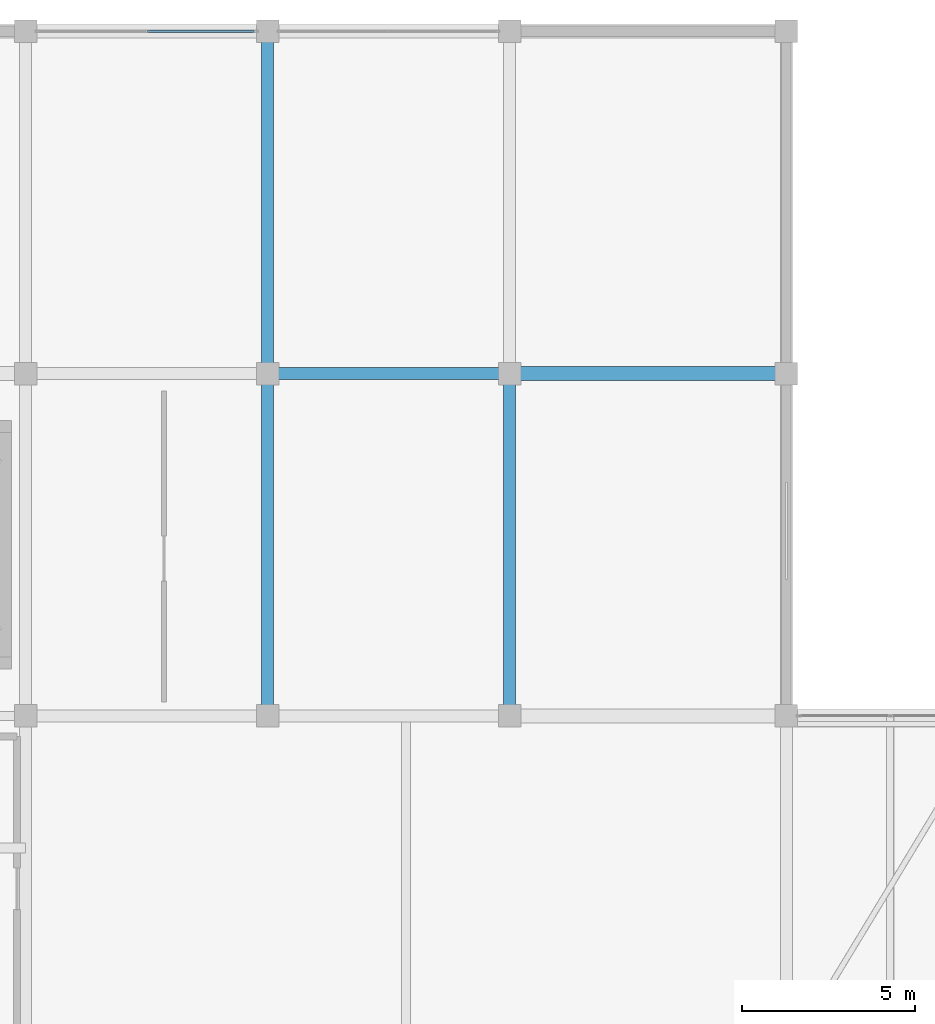
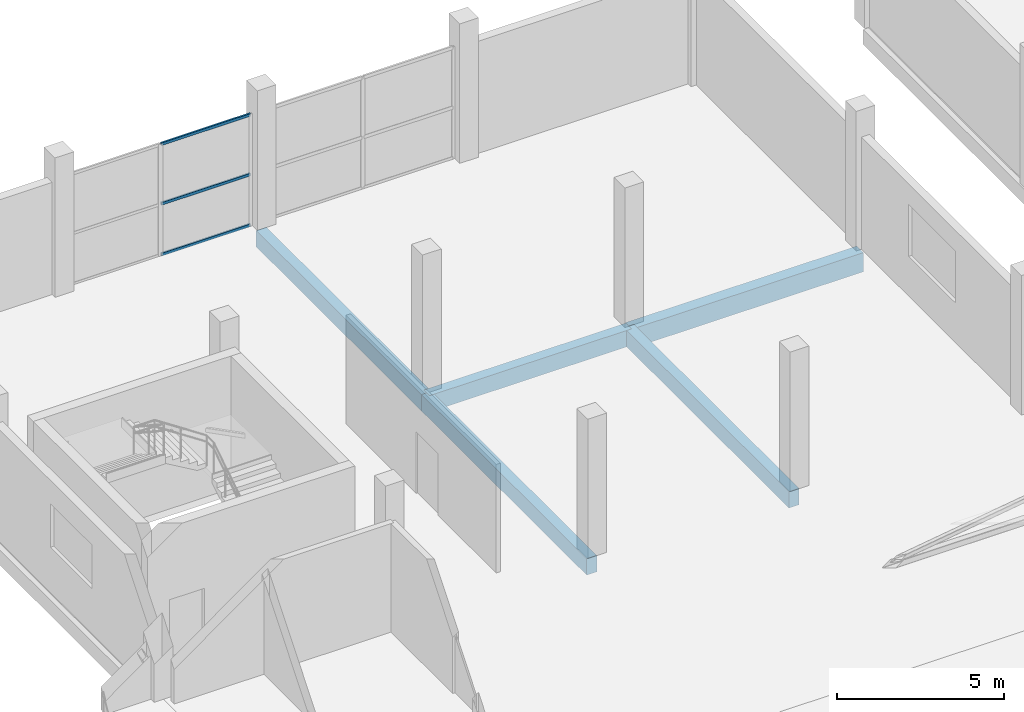
# One storey, part 38 of 58: 5 beams, 3 members, 1 element without a shape of its own.
"""IFC4 building model written with IfcOpenShell, lengths in metres."""

from ifc_helpers import new_model, si_unit, direction, frame, origin, origin_2d, place, context, subcontext, project, spatial, rectangle, hollow_rectangle, extrude, material, layer, layer_set, material_profile, profile_set, type_object, element, aggregate, save


model = new_model("IFC4")

# Units and contexts
model_context = context("Model", 3, precision=1e-05, world=origin(), true_north=direction((0.0, 1.0)))
body_context = subcontext(model_context, "Body", "Model", "MODEL_VIEW")
ifc_project = project(units=[si_unit("LENGTHUNIT", "METRE"), si_unit("AREAUNIT", "SQUARE_METRE"), si_unit("VOLUMEUNIT", "CUBIC_METRE"), si_unit("PLANEANGLEUNIT", "RADIAN"), si_unit("MASSUNIT", "GRAM", prefix="KILO")], contexts=[model_context])

# Site, building, storey
site_placement = place(None, origin())
site = spatial("IfcSite", under=ifc_project, at=site_placement, CompositionType="ELEMENT")
building_placement = place(site_placement, origin())
building = spatial("IfcBuilding", under=site, at=building_placement, Name="Sillaruma Civic Art Gallery", CompositionType="ELEMENT")
storey_placement = place(building_placement, frame((0.0, 0.0, 52.02001953125)))
storey = spatial("IfcBuildingStorey", under=building, at=storey_placement, Name="L10", CompositionType="ELEMENT", Elevation=52.02001953125)

# Beams
ifc_material_1 = material(Name="Concrete H35 (35 MPa)", Category="concrete")
ifc_material_profile_1 = material_profile(ifc_material_1, rectangle(XDim=0.35009765625, YDim=0.60009765625, at=origin_2d()), Name="RCB350x600")
ifc_profile_set_1 = profile_set([ifc_material_profile_1], Name="Concrete H35 (35 MPa)")
beam_type_1 = type_object("IfcBeamType", Name="BM-BEAM-RCB350x600", PredefinedType="BEAM", material=ifc_profile_set_1)
beam_1_placement = place(storey_placement, frame((77.0, 89.10009765625, -0.550048828125), z_axis=(1.0, 0.0, 0.0), x_axis=(0.0, 1.0, 0.0)))
element("IfcBeam", 1, at=beam_1_placement, inside=storey, type_object=beam_type_1, Name="Beam BM-06 (L09:10:H-J)", PredefinedType="BEAM", context=body_context, shape_type="SweptSolid", body=[
    extrude(rectangle(XDim=0.35009765625, YDim=0.60009765625, at=origin_2d()), origin(), (0.0, 0.0, 1.0), 7.0),
])
beam_2_placement = place(storey_placement, frame((77.0, 79.199951171875, -0.550048828125), z_axis=(0.0, 1.0, 0.0), x_axis=(-1.0, 0.0, 0.0)))
element("IfcBeam", 2, at=beam_2_placement, inside=storey, type_object=beam_type_1, Name="Beam BM-06 (L09:H:9-10)", PredefinedType="BEAM", context=body_context, shape_type="SweptSolid", body=[
    extrude(rectangle(XDim=0.35009765625, YDim=0.60009765625, at=origin_2d()), origin(), (0.0, 0.0, 1.0), 9.900146484375),
])
beam_3_placement = place(storey_placement, frame((77.0, 89.10009765625, -0.550048828125), z_axis=(0.0, 1.0, 0.0), x_axis=(-1.0, 0.0, 0.0)))
element("IfcBeam", 3, at=beam_3_placement, inside=storey, type_object=beam_type_1, Name="Beam BM-06 (L09:H:10-11)", PredefinedType="BEAM", context=body_context, shape_type="SweptSolid", body=[
    extrude(rectangle(XDim=0.35009765625, YDim=0.60009765625, at=origin_2d()), origin(), (0.0, 0.0, 1.0), 9.89990234375),
])
beam_4_placement = place(storey_placement, frame((84.0, 79.199951171875, -0.550048828125), z_axis=(0.0, 1.0, 0.0), x_axis=(-1.0, 0.0, 0.0)))
element("IfcBeam", 4, at=beam_4_placement, inside=storey, type_object=beam_type_1, Name="Beam BM-06 (L09:J:9-10)", PredefinedType="BEAM", context=body_context, shape_type="SweptSolid", body=[
    extrude(rectangle(XDim=0.35009765625, YDim=0.60009765625, at=origin_2d()), origin(), (0.0, 0.0, 1.0), 9.900146484375),
])
ifc_material_profile_2 = material_profile(ifc_material_1, rectangle(XDim=0.39990234375, YDim=0.699951171875, at=origin_2d()), Name="RCB400x700")
ifc_profile_set_2 = profile_set([ifc_material_profile_2], Name="Concrete H35 (35 MPa)")
beam_type_2 = type_object("IfcBeamType", Name="BM-BEAM-RCB400x700", PredefinedType="BEAM", material=ifc_profile_set_2)
beam_5_placement = place(storey_placement, frame((84.0, 89.10009765625, -0.60009765625), z_axis=(1.0, 0.0, 0.0), x_axis=(0.0, 1.0, 0.0)))
element("IfcBeam", 5, at=beam_5_placement, inside=storey, type_object=beam_type_2, Name="Beam BM-04 (L09:10:J-K)", PredefinedType="BEAM", context=body_context, shape_type="SweptSolid", body=[
    extrude(rectangle(XDim=0.39990234375, YDim=0.699951171875, at=origin_2d()), origin(), (0.0, 0.0, 1.0), 8.0),
])

# Curtain wall, members
ifc_material_2 = material(Name="Thermally Broken Extruded Aluminium 6063-T6", Category="aluminium")
ifc_layer = layer(ifc_material_2, 0.159912109375, Name="Thermally Broken Extruded Aluminium 6063-T6")
ifc_layer_set = layer_set([ifc_layer], Name="Thermally Broken Extruded Aluminium 6063-T6")
curtain_wall_type = type_object("IfcCurtainWallType", Name="CW-UNI-68", PredefinedType="NOTDEFINED", material=ifc_layer_set)
curtain_wall_placement = place(storey_placement, origin())
curtain_wall = element("IfcCurtainWall", 6, at=curtain_wall_placement, inside=storey, type_object=curtain_wall_type, Name="Unitised Curtain Wall CW-68 (CW-L10-WBN-2)", PredefinedType="NOTDEFINED")
ifc_material_profile_3 = material_profile(ifc_material_2, hollow_rectangle(XDim=0.06005859375, YDim=0.10009765625, WallThickness=0.003173828125, at=origin_2d()), Name="CWT60x100")
ifc_profile_set_3 = profile_set([ifc_material_profile_3], Name="Thermally Broken Extruded Aluminium 6063-T6")
member_type = type_object("IfcMemberType", Name="MEM-TRN-CWT60x100", PredefinedType="USERDEFINED", material=ifc_profile_set_3)
member_1_placement = place(storey_placement, frame((73.532470703125, 99.0, 0.030029296875), z_axis=(1.0, 0.0, 0.0), x_axis=(0.0, 1.0, 0.0)))
member_1 = element("IfcMember", 7, at=member_1_placement, type_object=member_type, Name="CW-68 transom 2.1", ObjectType="TRANSOM", PredefinedType="USERDEFINED", context=body_context, shape_type="SweptSolid", body=[
    extrude(hollow_rectangle(XDim=0.06005859375, YDim=0.10009765625, WallThickness=0.003173828125, at=origin_2d()), origin(), (0.0, 0.0, 1.0), 3.07763671875),
])
member_2_placement = place(storey_placement, frame((73.532470703125, 99.0, 1.885986328125), z_axis=(1.0, 0.0, 0.0), x_axis=(0.0, 1.0, 0.0)))
member_2 = element("IfcMember", 8, at=member_2_placement, type_object=member_type, Name="CW-68 transom 2.2", ObjectType="TRANSOM", PredefinedType="USERDEFINED", context=body_context, shape_type="SweptSolid", body=[
    extrude(hollow_rectangle(XDim=0.06005859375, YDim=0.10009765625, WallThickness=0.003173828125, at=origin_2d()), origin(), (0.0, 0.0, 1.0), 3.07763671875),
])
member_3_placement = place(storey_placement, frame((73.532470703125, 99.0, 4.070068359375), z_axis=(1.0, 0.0, 0.0), x_axis=(0.0, 1.0, 0.0)))
member_3 = element("IfcMember", 9, at=member_3_placement, type_object=member_type, Name="CW-68 transom 2.3", ObjectType="TRANSOM", PredefinedType="USERDEFINED", context=body_context, shape_type="SweptSolid", body=[
    extrude(hollow_rectangle(XDim=0.06005859375, YDim=0.10009765625, WallThickness=0.003173828125, at=origin_2d()), origin(), (0.0, 0.0, 1.0), 3.07763671875),
])
aggregate(curtain_wall, [member_1, member_2, member_3])

save(model, "model.ifc")
